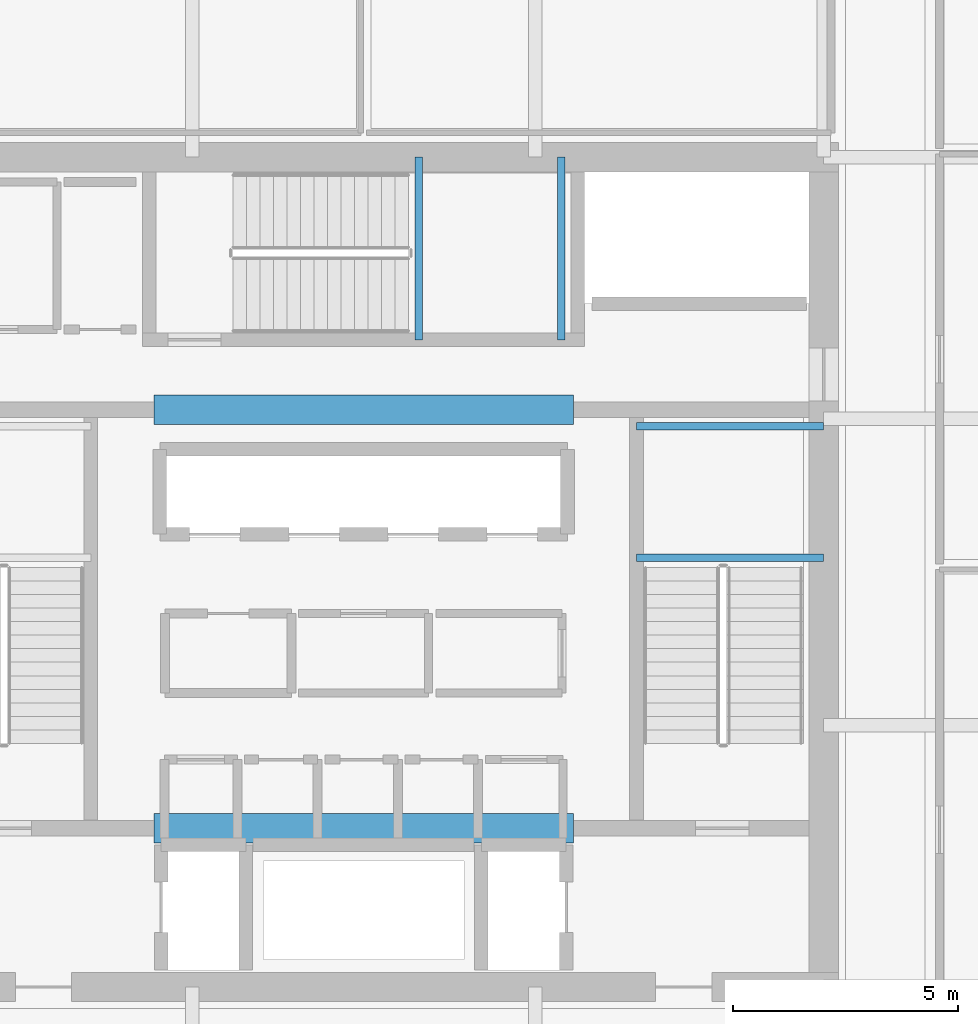
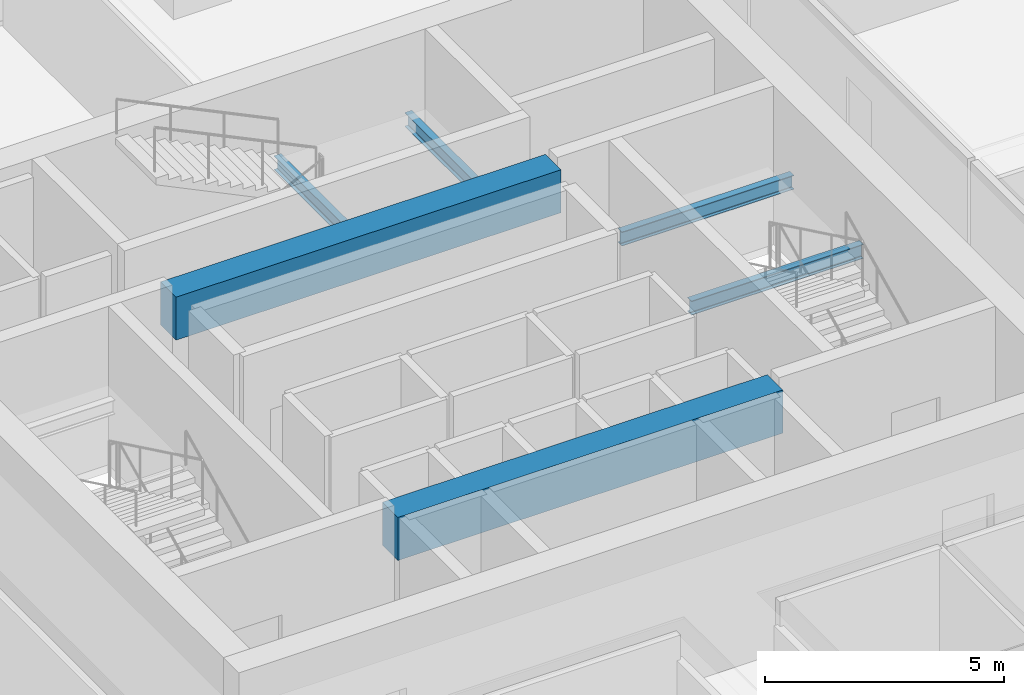
# One storey, part 13 of 36: 6 beams.
"""IFC4 building model written with IfcOpenShell, lengths in metres."""

from ifc_helpers import new_model, si_unit, direction, frame, origin, origin_2d, place, context, subcontext, project, spatial, rectangle, i_section, extrude, material, material_profile, profile_set, type_object, element, save


model = new_model("IFC4")

# Units and contexts
model_context = context("Model", 3, precision=1e-05, world=origin(), true_north=direction((0.0, 1.0)))
body_context = subcontext(model_context, "Body", "Model", "MODEL_VIEW")
ifc_project = project(units=[si_unit("LENGTHUNIT", "METRE"), si_unit("AREAUNIT", "SQUARE_METRE"), si_unit("VOLUMEUNIT", "CUBIC_METRE"), si_unit("PLANEANGLEUNIT", "RADIAN"), si_unit("MASSUNIT", "GRAM", prefix="KILO")], contexts=[model_context])

# Site, building, storey
site_placement = place(None, origin())
site = spatial("IfcSite", under=ifc_project, at=site_placement, CompositionType="ELEMENT")
building_placement = place(site_placement, origin())
building = spatial("IfcBuilding", under=site, at=building_placement, Name="Punatoya Terracotta Tower", CompositionType="ELEMENT")
storey_placement = place(building_placement, frame((0.0, 0.0, 228.89990234375)))
storey = spatial("IfcBuildingStorey", under=building, at=storey_placement, Name="L54", CompositionType="ELEMENT", Elevation=228.89990234375)

# Beams
ifc_material_1 = material(Name="Concrete C60/75", Category="concrete")
ifc_material_profile_1 = material_profile(ifc_material_1, rectangle(XDim=0.64990234375, YDim=1.10009765625, at=origin_2d()))
ifc_profile_set_1 = profile_set([ifc_material_profile_1], Name="Concrete C60/75")
beam_type_1 = type_object("IfcBeamType", Name="BM-RC-1100", PredefinedType="LINTEL", material=ifc_profile_set_1)
for number, where, z_axis, x_axis, name in (
    (1, (-4.64990234375, -5.679931640625, 3.280029296875), (1.0, 0.0, 0.0), (0.0, 1.0, 0.0), "L54 Core Coupling Lintel CSW"),
    (2, (-4.64990234375, 3.60009765625, 3.280029296875), (1.0, 0.0, 0.0), (0.0, 1.0, 0.0), "L54 Core Coupling Lintel CNW"),
):
    element("IfcBeam", number, at=place(storey_placement, frame(where, z_axis=z_axis, x_axis=x_axis)), inside=storey, type_object=beam_type_1, Name=name, PredefinedType="LINTEL", context=body_context, shape_type="SweptSolid", body=[
        extrude(rectangle(XDim=0.64990234375, YDim=1.10009765625, at=origin_2d()), origin(), (0.0, 0.0, 1.0), 9.2998046875),
    ])
ifc_material_2 = material(Name="Steel S355", Category="steel")
ifc_material_profile_2 = material_profile(ifc_material_2, i_section(OverallWidth=0.169921875, OverallDepth=0.360107421875, WebThickness=0.008056640625, FlangeThickness=0.0126953125, FilletRadius=0.01806640625, at=origin_2d()))
ifc_profile_set_2 = profile_set([ifc_material_profile_2], Name="Steel S355")
beam_type_2 = type_object("IfcBeamType", Name="BM-SEC-360", PredefinedType="JOIST", material=ifc_profile_set_2)
for number, where, z_axis, x_axis, name in (
    (3, (6.050048828125, 0.320068359375, 1.64501953125), (1.0, 0.0, 0.0), (0.0, 1.0, 0.0), "BM-L54-ST-2-LD1A"),
    (4, (6.050048828125, 3.22998046875, 1.64501953125), (1.0, 0.0, 0.0), (0.0, 1.0, 0.0), "BM-L54-ST-2-LD1B"),
):
    element("IfcBeam", number, at=place(storey_placement, frame(where, z_axis=z_axis, x_axis=x_axis)), inside=storey, type_object=beam_type_2, Name=name, PredefinedType="JOIST", context=body_context, shape_type="SweptSolid", body=[
        extrude(i_section(OverallWidth=0.169921875, OverallDepth=0.360107421875, WebThickness=0.008056640625, FlangeThickness=0.0126953125, FilletRadius=0.01806640625, at=origin_2d()), origin(), (0.0, 0.0, 1.0), 4.14990234375),
    ])
for number, where, z_axis, x_axis, name in (
    (5, (1.219970703125, 5.14990234375, 1.64501953125), (0.0, 1.0, 0.0), (-1.0, 0.0, 0.0), "BM-L54-ST-3-LD1A"),
    (6, (4.3798828125, 5.14990234375, 1.64501953125), (0.0, 1.0, 0.0), (-1.0, 0.0, 0.0), "BM-L54-ST-3-LD1B"),
):
    element("IfcBeam", number, at=place(storey_placement, frame(where, z_axis=z_axis, x_axis=x_axis)), inside=storey, type_object=beam_type_2, Name=name, PredefinedType="JOIST", context=body_context, shape_type="SweptSolid", body=[
        extrude(i_section(OverallWidth=0.169921875, OverallDepth=0.360107421875, WebThickness=0.008056640625, FlangeThickness=0.0126953125, FilletRadius=0.01806640625, at=origin_2d()), origin(), (0.0, 0.0, 1.0), 4.050048828125),
    ])

save(model, "model.ifc")
